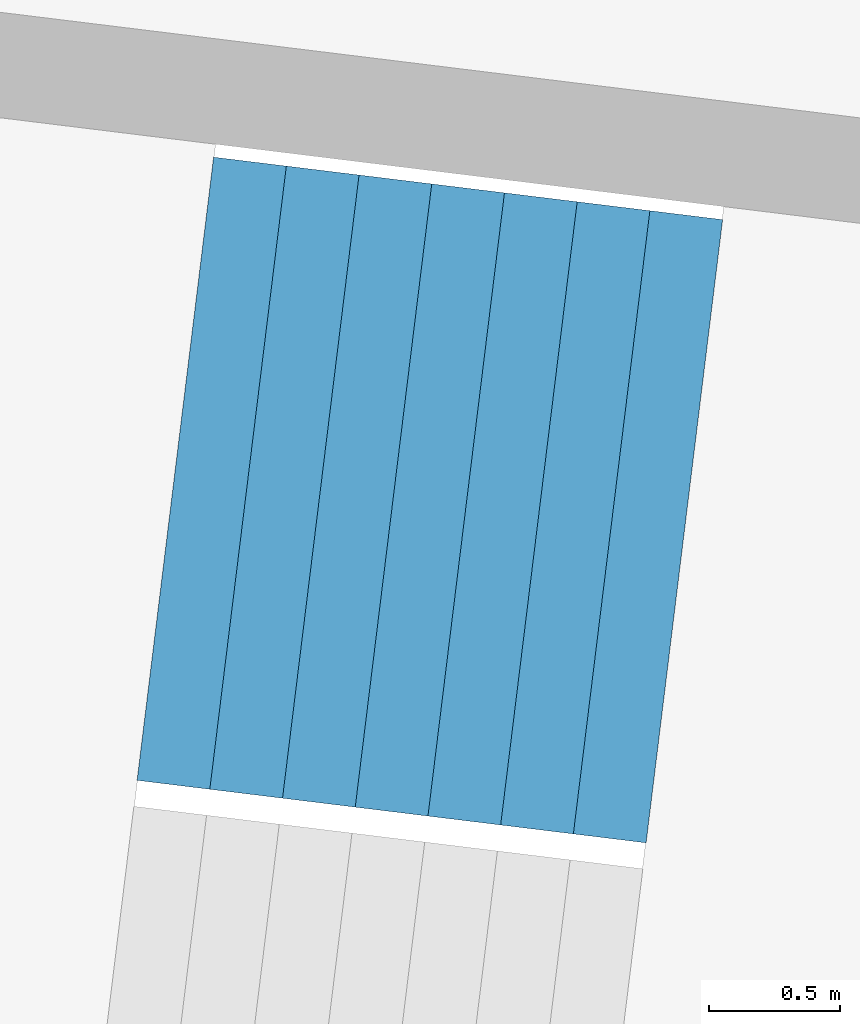
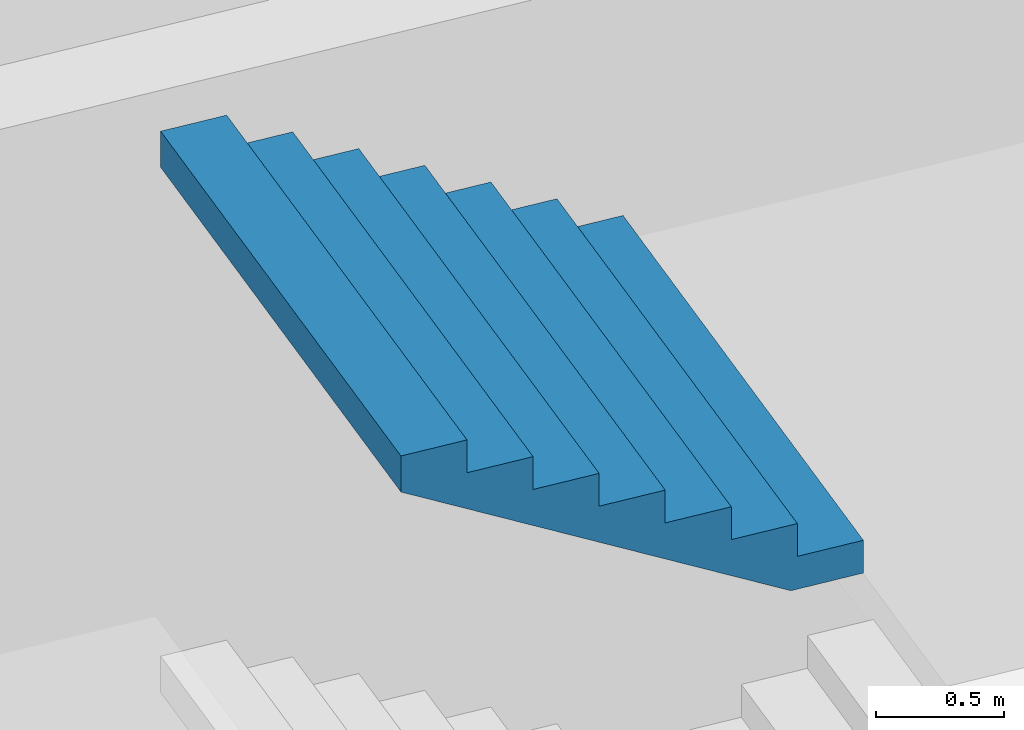
# One storey, part 56 of 73: 1 stair flight, 1 element without a shape of its own.
"""IFC4 building model written with IfcOpenShell, lengths in metres."""

from ifc_helpers import new_model, si_unit, direction, frame, origin, place, context, subcontext, project, spatial, triangles, material, type_object, element, aggregate, save


model = new_model("IFC4")

# Units and contexts
model_context = context("Model", 3, precision=1e-05, world=origin(), true_north=direction((0.0, 1.0)))
body_context = subcontext(model_context, "Body", "Model", "MODEL_VIEW")
ifc_project = project(units=[si_unit("LENGTHUNIT", "METRE"), si_unit("AREAUNIT", "SQUARE_METRE"), si_unit("VOLUMEUNIT", "CUBIC_METRE"), si_unit("PLANEANGLEUNIT", "RADIAN"), si_unit("MASSUNIT", "GRAM", prefix="KILO")], contexts=[model_context])

# Site, building, storey
site_placement = place(None, origin())
site = spatial("IfcSite", under=ifc_project, at=site_placement, CompositionType="ELEMENT")
building_placement = place(site_placement, origin())
building = spatial("IfcBuilding", under=site, at=building_placement, Name="Lantaw Convention Tower", CompositionType="ELEMENT")
storey_placement = place(building_placement, frame((0.0, 0.0, 22.0)))
storey = spatial("IfcBuildingStorey", under=building, at=storey_placement, Name="L03", CompositionType="ELEMENT", Elevation=22.0)

# Stair, stair flight
ifc_material = material(Name="Concrete C35/45", Category="concrete")
stair_type = type_object("IfcStairType", Name="Exit stair 2400 riser 156.25 in 4 flights", PredefinedType="HALF_TURN_STAIR", material=ifc_material)
stair_placement = place(storey_placement, origin())
stair = element("IfcStair", 1, at=stair_placement, inside=storey, type_object=stair_type, Name="Podium exit stair P13 L03", PredefinedType="HALF_TURN_STAIR")
stair_flight_type = type_object("IfcStairFlightType", Name="Stair flight 2400 riser 156.25", PredefinedType="STRAIGHT", material=ifc_material)
stair_flight_placement = place(storey_placement, frame((37.107666015625, -3.296875, 3.75), z_axis=(0.0, 0.0, 1.0), x_axis=(-0.992546151641, 0.121869343405, 0.0)))
stair_flight = element("IfcStairFlight", 2, at=stair_flight_placement, type_object=stair_flight_type, Name="P13 flight 4", NumberOfRisers=8, NumberOfTreads=7, PredefinedType="STRAIGHT", RiserHeight=0.15625, TreadLength=0.28, context=body_context, shape_type="Tessellation", body=[
    triangles([(0.0, 1.199951171875, 0.0), (0.0, 1.199951171875, 0.15625), (0.28, 1.199951171875, 0.0), (0.28, 1.199951171875, 0.15625), (0.28, 1.199951171875, 0.3125), (0.3076200632058044, 1.199951171875, 0.0), (0.3076200632058044, 1.199951171875, 0.3125), (0.56, 1.199951171875, 0.14083701830033238), (0.56, 1.199951171875, 0.3125), (0.56, 1.199951171875, 0.46875), (0.8400000000000001, 1.199951171875, 0.29708701830033235), (0.8400000000000001, 1.199951171875, 0.46875), (0.8400000000000001, 1.199951171875, 0.625), (1.12, 1.199951171875, 0.45333701830033235), (1.12, 1.199951171875, 0.625), (1.12, 1.199951171875, 0.78125), (1.4000000000000001, 1.199951171875, 0.6095870183003324), (1.4000000000000001, 1.199951171875, 0.78125), (1.4000000000000001, 1.199951171875, 0.9375), (1.6800000000000002, 1.199951171875, 0.7658370183003324), (1.6800000000000002, 1.199951171875, 0.9375), (1.6800000000000002, 1.199951171875, 1.09375), (1.9600000000000002, 1.199951171875, 0.9220870183003324), (1.9600000000000002, 1.199951171875, 1.09375), (0.0, -1.199951171875, 0.0), (0.0, -1.199951171875, 0.15625), (0.28, -1.199951171875, 0.0), (0.28, -1.199951171875, 0.15625), (0.28, -1.199951171875, 0.3125), (0.3076200632058044, -1.199951171875, 0.0), (0.3076200632058044, -1.199951171875, 0.3125), (0.56, -1.199951171875, 0.14083701830033238), (0.56, -1.199951171875, 0.3125), (0.56, -1.199951171875, 0.46875), (0.8400000000000001, -1.199951171875, 0.29708701830033235), (0.8400000000000001, -1.199951171875, 0.46875), (0.8400000000000001, -1.199951171875, 0.625), (1.12, -1.199951171875, 0.45333701830033235), (1.12, -1.199951171875, 0.625), (1.12, -1.199951171875, 0.78125), (1.4000000000000001, -1.199951171875, 0.6095870183003324), (1.4000000000000001, -1.199951171875, 0.78125), (1.4000000000000001, -1.199951171875, 0.9375), (1.6800000000000002, -1.199951171875, 0.7658370183003324), (1.6800000000000002, -1.199951171875, 0.9375), (1.6800000000000002, -1.199951171875, 1.09375), (1.9600000000000002, -1.199951171875, 0.9220870183003324), (1.9600000000000002, -1.199951171875, 1.09375), (0.0, 0.239990234375, 0.15625), (0.0, 0.239990234375, 0.0), (0.0, 0.1919921875, 0.15625), (0.0, 0.1919921875, 0.0), (0.0, 0.143994140625, 0.15625), (0.0, 0.143994140625, 0.0), (0.0, 0.09599609375, 0.15625), (0.0, 0.09599609375, 0.0), (0.0, 0.047998046875, 0.15625), (0.0, 0.047998046875, 0.0), (0.0, 0.0, 0.15625), (0.0, 0.0, 0.0), (0.0, -0.047998046875, 0.15625), (0.0, -0.047998046875, 0.0), (0.0, -0.09599609375, 0.15625), (0.0, -0.09599609375, 0.0), (0.0, -0.143994140625, 0.15625), (0.0, -0.143994140625, 0.0), (0.0, -0.1919921875, 0.15625), (0.0, -0.1919921875, 0.0), (0.0, -0.239990234375, 0.15625), (0.0, -0.239990234375, 0.0), (0.28, 0.239990234375, 0.3125), (0.28, 0.239990234375, 0.15625), (0.28, 0.1919921875, 0.3125), (0.28, 0.1919921875, 0.15625), (0.28, 0.143994140625, 0.3125), (0.28, 0.143994140625, 0.15625), (0.28, 0.09599609375, 0.3125), (0.28, 0.09599609375, 0.15625), (0.28, 0.047998046875, 0.3125), (0.28, 0.047998046875, 0.15625), (0.28, 0.0, 0.3125), (0.28, 0.0, 0.15625), (0.28, -0.047998046875, 0.3125), (0.28, -0.047998046875, 0.15625), (0.28, -0.09599609375, 0.3125), (0.28, -0.09599609375, 0.15625), (0.28, -0.143994140625, 0.3125), (0.28, -0.143994140625, 0.15625), (0.28, -0.1919921875, 0.3125), (0.28, -0.1919921875, 0.15625), (0.28, -0.239990234375, 0.3125), (0.28, -0.239990234375, 0.15625), (0.56, 0.239990234375, 0.46875), (0.56, 0.239990234375, 0.3125), (0.56, 0.1919921875, 0.46875), (0.56, 0.1919921875, 0.3125), (0.56, 0.143994140625, 0.46875), (0.56, 0.143994140625, 0.3125), (0.56, 0.09599609375, 0.46875), (0.56, 0.09599609375, 0.3125), (0.56, 0.047998046875, 0.46875), (0.56, 0.047998046875, 0.3125), (0.56, 0.0, 0.46875), (0.56, 0.0, 0.3125), (0.56, -0.047998046875, 0.46875), (0.56, -0.047998046875, 0.3125), (0.56, -0.09599609375, 0.46875), (0.56, -0.09599609375, 0.3125), (0.56, -0.143994140625, 0.46875), (0.56, -0.143994140625, 0.3125), (0.56, -0.1919921875, 0.46875), (0.56, -0.1919921875, 0.3125), (0.56, -0.239990234375, 0.46875), (0.56, -0.239990234375, 0.3125), (0.8400000000000001, 0.239990234375, 0.625), (0.8400000000000001, 0.239990234375, 0.46875), (0.8400000000000001, 0.1919921875, 0.625), (0.8400000000000001, 0.1919921875, 0.46875), (0.8400000000000001, 0.143994140625, 0.625), (0.8400000000000001, 0.143994140625, 0.46875), (0.8400000000000001, 0.09599609375, 0.625), (0.8400000000000001, 0.09599609375, 0.46875), (0.8400000000000001, 0.047998046875, 0.625), (0.8400000000000001, 0.047998046875, 0.46875), (0.8400000000000001, 0.0, 0.625), (0.8400000000000001, 0.0, 0.46875), (0.8400000000000001, -0.047998046875, 0.625), (0.8400000000000001, -0.047998046875, 0.46875), (0.8400000000000001, -0.09599609375, 0.625), (0.8400000000000001, -0.09599609375, 0.46875), (0.8400000000000001, -0.143994140625, 0.625), (0.8400000000000001, -0.143994140625, 0.46875), (0.8400000000000001, -0.1919921875, 0.625), (0.8400000000000001, -0.1919921875, 0.46875), (0.8400000000000001, -0.239990234375, 0.625), (0.8400000000000001, -0.239990234375, 0.46875), (1.12, 0.239990234375, 0.78125), (1.12, 0.239990234375, 0.625), (1.12, 0.1919921875, 0.78125), (1.12, 0.1919921875, 0.625), (1.12, 0.143994140625, 0.78125), (1.12, 0.143994140625, 0.625), (1.12, 0.09599609375, 0.78125), (1.12, 0.09599609375, 0.625), (1.12, 0.047998046875, 0.78125), (1.12, 0.047998046875, 0.625), (1.12, 0.0, 0.78125), (1.12, 0.0, 0.625), (1.12, -0.047998046875, 0.78125), (1.12, -0.047998046875, 0.625), (1.12, -0.09599609375, 0.78125), (1.12, -0.09599609375, 0.625), (1.12, -0.143994140625, 0.78125), (1.12, -0.143994140625, 0.625), (1.12, -0.1919921875, 0.78125), (1.12, -0.1919921875, 0.625), (1.12, -0.239990234375, 0.78125), (1.12, -0.239990234375, 0.625), (1.4000000000000001, 0.239990234375, 0.9375), (1.4000000000000001, 0.239990234375, 0.78125), (1.4000000000000001, 0.1919921875, 0.9375), (1.4000000000000001, 0.1919921875, 0.78125), (1.4000000000000001, 0.143994140625, 0.9375), (1.4000000000000001, 0.143994140625, 0.78125), (1.4000000000000001, 0.09599609375, 0.9375), (1.4000000000000001, 0.09599609375, 0.78125), (1.4000000000000001, 0.047998046875, 0.9375), (1.4000000000000001, 0.047998046875, 0.78125), (1.4000000000000001, 0.0, 0.9375), (1.4000000000000001, 0.0, 0.78125), (1.4000000000000001, -0.047998046875, 0.9375), (1.4000000000000001, -0.047998046875, 0.78125), (1.4000000000000001, -0.09599609375, 0.9375), (1.4000000000000001, -0.09599609375, 0.78125), (1.4000000000000001, -0.143994140625, 0.9375), (1.4000000000000001, -0.143994140625, 0.78125), (1.4000000000000001, -0.1919921875, 0.9375), (1.4000000000000001, -0.1919921875, 0.78125), (1.4000000000000001, -0.239990234375, 0.9375), (1.4000000000000001, -0.239990234375, 0.78125), (1.6800000000000002, 0.239990234375, 1.09375), (1.6800000000000002, 0.239990234375, 0.9375), (1.6800000000000002, 0.1919921875, 1.09375), (1.6800000000000002, 0.1919921875, 0.9375), (1.6800000000000002, 0.143994140625, 1.09375), (1.6800000000000002, 0.143994140625, 0.9375), (1.6800000000000002, 0.09599609375, 1.09375), (1.6800000000000002, 0.09599609375, 0.9375), (1.6800000000000002, 0.047998046875, 1.09375), (1.6800000000000002, 0.047998046875, 0.9375), (1.6800000000000002, 0.0, 1.09375), (1.6800000000000002, 0.0, 0.9375), (1.6800000000000002, -0.047998046875, 1.09375), (1.6800000000000002, -0.047998046875, 0.9375), (1.6800000000000002, -0.09599609375, 1.09375), (1.6800000000000002, -0.09599609375, 0.9375), (1.6800000000000002, -0.143994140625, 1.09375), (1.6800000000000002, -0.143994140625, 0.9375), (1.6800000000000002, -0.1919921875, 1.09375), (1.6800000000000002, -0.1919921875, 0.9375), (1.6800000000000002, -0.239990234375, 1.09375), (1.6800000000000002, -0.239990234375, 0.9375), (0.3076200632058044, 0.239990234375, 0.3125), (0.3076200632058044, 0.1919921875, 0.3125), (0.3076200632058044, 0.143994140625, 0.3125), (0.3076200632058044, 0.09599609375, 0.3125), (0.3076200632058044, 0.047998046875, 0.3125), (0.3076200632058044, 0.0, 0.3125), (0.3076200632058044, -0.047998046875, 0.3125), (0.3076200632058044, -0.09599609375, 0.3125), (0.3076200632058044, -0.143994140625, 0.3125), (0.3076200632058044, -0.1919921875, 0.3125), (0.3076200632058044, -0.239990234375, 0.3125), (1.9600000000000002, 0.239990234375, 1.09375), (1.9600000000000002, 0.1919921875, 1.09375), (1.9600000000000002, 0.143994140625, 1.09375), (1.9600000000000002, 0.09599609375, 1.09375), (1.9600000000000002, 0.047998046875, 1.09375), (1.9600000000000002, 0.0, 1.09375), (1.9600000000000002, -0.047998046875, 1.09375), (1.9600000000000002, -0.09599609375, 1.09375), (1.9600000000000002, -0.143994140625, 1.09375), (1.9600000000000002, -0.1919921875, 1.09375), (1.9600000000000002, -0.239990234375, 1.09375), (1.9600000000000002, 0.239990234375, 0.9220870183003324), (1.9600000000000002, 0.1919921875, 0.9220870183003324), (1.9600000000000002, 0.143994140625, 0.9220870183003324), (1.9600000000000002, 0.09599609375, 0.9220870183003324), (1.9600000000000002, 0.047998046875, 0.9220870183003324), (1.9600000000000002, 0.0, 0.9220870183003324), (1.9600000000000002, -0.047998046875, 0.9220870183003324), (1.9600000000000002, -0.09599609375, 0.9220870183003324), (1.9600000000000002, -0.143994140625, 0.9220870183003324), (1.9600000000000002, -0.1919921875, 0.9220870183003324), (1.9600000000000002, -0.239990234375, 0.9220870183003324), (1.6800000000000002, 0.239990234375, 0.7658370183003324), (1.6800000000000002, 0.1919921875, 0.7658370183003324), (1.6800000000000002, 0.143994140625, 0.7658370183003324), (1.6800000000000002, 0.09599609375, 0.7658370183003324), (1.6800000000000002, 0.047998046875, 0.7658370183003324), (1.6800000000000002, 0.0, 0.7658370183003324), (1.6800000000000002, -0.047998046875, 0.7658370183003324), (1.6800000000000002, -0.09599609375, 0.7658370183003324), (1.6800000000000002, -0.143994140625, 0.7658370183003324), (1.6800000000000002, -0.1919921875, 0.7658370183003324), (1.6800000000000002, -0.239990234375, 0.7658370183003324), (1.4000000000000001, 0.239990234375, 0.6095870183003324), (1.4000000000000001, 0.1919921875, 0.6095870183003324), (1.4000000000000001, 0.143994140625, 0.6095870183003324), (1.4000000000000001, 0.09599609375, 0.6095870183003324), (1.4000000000000001, 0.047998046875, 0.6095870183003324), (1.4000000000000001, 0.0, 0.6095870183003324), (1.4000000000000001, -0.047998046875, 0.6095870183003324), (1.4000000000000001, -0.09599609375, 0.6095870183003324), (1.4000000000000001, -0.143994140625, 0.6095870183003324), (1.4000000000000001, -0.1919921875, 0.6095870183003324), (1.4000000000000001, -0.239990234375, 0.6095870183003324), (1.12, 0.239990234375, 0.45333701830033235), (1.12, 0.1919921875, 0.45333701830033235), (1.12, 0.143994140625, 0.45333701830033235), (1.12, 0.09599609375, 0.45333701830033235), (1.12, 0.047998046875, 0.45333701830033235), (1.12, 0.0, 0.45333701830033235), (1.12, -0.047998046875, 0.45333701830033235), (1.12, -0.09599609375, 0.45333701830033235), (1.12, -0.143994140625, 0.45333701830033235), (1.12, -0.1919921875, 0.45333701830033235), (1.12, -0.239990234375, 0.45333701830033235), (0.8400000000000001, 0.239990234375, 0.29708701830033235), (0.8400000000000001, 0.1919921875, 0.29708701830033235), (0.8400000000000001, 0.143994140625, 0.29708701830033235), (0.8400000000000001, 0.09599609375, 0.29708701830033235), (0.8400000000000001, 0.047998046875, 0.29708701830033235), (0.8400000000000001, 0.0, 0.29708701830033235), (0.8400000000000001, -0.047998046875, 0.29708701830033235), (0.8400000000000001, -0.09599609375, 0.29708701830033235), (0.8400000000000001, -0.143994140625, 0.29708701830033235), (0.8400000000000001, -0.1919921875, 0.29708701830033235), (0.8400000000000001, -0.239990234375, 0.29708701830033235), (0.56, 0.239990234375, 0.14083701830033238), (0.56, 0.1919921875, 0.14083701830033238), (0.56, 0.143994140625, 0.14083701830033238), (0.56, 0.09599609375, 0.14083701830033238), (0.56, 0.047998046875, 0.14083701830033238), (0.56, 0.0, 0.14083701830033238), (0.56, -0.047998046875, 0.14083701830033238), (0.56, -0.09599609375, 0.14083701830033238), (0.56, -0.143994140625, 0.14083701830033238), (0.56, -0.1919921875, 0.14083701830033238), (0.56, -0.239990234375, 0.14083701830033238), (0.3076200632058044, 0.239990234375, 0.0), (0.3076200632058044, 0.1919921875, 0.0), (0.3076200632058044, 0.143994140625, 0.0), (0.3076200632058044, 0.09599609375, 0.0), (0.3076200632058044, 0.047998046875, 0.0), (0.3076200632058044, 0.0, 0.0), (0.3076200632058044, -0.047998046875, 0.0), (0.3076200632058044, -0.09599609375, 0.0), (0.3076200632058044, -0.143994140625, 0.0), (0.3076200632058044, -0.1919921875, 0.0), (0.3076200632058044, -0.239990234375, 0.0), (0.28, 0.239990234375, 0.0), (0.28, 0.1919921875, 0.0), (0.28, 0.143994140625, 0.0), (0.28, 0.09599609375, 0.0), (0.28, 0.047998046875, 0.0), (0.28, 0.0, 0.0), (0.28, -0.047998046875, 0.0), (0.28, -0.09599609375, 0.0), (0.28, -0.143994140625, 0.0), (0.28, -0.1919921875, 0.0), (0.28, -0.239990234375, 0.0)], [[1, 4, 3], [1, 2, 4], [3, 4, 6], [4, 7, 6], [4, 5, 7], [6, 9, 8], [6, 7, 9], [8, 9, 11], [9, 12, 11], [9, 10, 12], [11, 12, 14], [12, 15, 14], [12, 13, 15], [14, 15, 17], [15, 18, 17], [15, 16, 18], [17, 18, 20], [18, 21, 20], [18, 19, 21], [20, 21, 23], [21, 24, 23], [21, 22, 24], [25, 27, 28], [25, 28, 26], [27, 30, 28], [28, 30, 31], [28, 31, 29], [30, 32, 33], [30, 33, 31], [32, 35, 33], [33, 35, 36], [33, 36, 34], [35, 38, 36], [36, 38, 39], [36, 39, 37], [38, 41, 39], [39, 41, 42], [39, 42, 40], [41, 44, 42], [42, 44, 45], [42, 45, 43], [44, 47, 45], [45, 47, 48], [45, 48, 46], [1, 49, 2], [1, 50, 49], [50, 51, 49], [50, 52, 51], [52, 53, 51], [52, 54, 53], [54, 55, 53], [54, 56, 55], [56, 57, 55], [56, 58, 57], [58, 59, 57], [58, 60, 59], [60, 61, 59], [60, 62, 61], [62, 63, 61], [62, 64, 63], [64, 65, 63], [64, 66, 65], [66, 67, 65], [66, 68, 67], [68, 69, 67], [68, 70, 69], [70, 26, 69], [70, 25, 26], [4, 71, 5], [4, 72, 71], [72, 73, 71], [72, 74, 73], [74, 75, 73], [74, 76, 75], [76, 77, 75], [76, 78, 77], [78, 79, 77], [78, 80, 79], [80, 81, 79], [80, 82, 81], [82, 83, 81], [82, 84, 83], [84, 85, 83], [84, 86, 85], [86, 87, 85], [86, 88, 87], [88, 89, 87], [88, 90, 89], [90, 91, 89], [90, 92, 91], [92, 29, 91], [92, 28, 29], [9, 93, 10], [9, 94, 93], [94, 95, 93], [94, 96, 95], [96, 97, 95], [96, 98, 97], [98, 99, 97], [98, 100, 99], [100, 101, 99], [100, 102, 101], [102, 103, 101], [102, 104, 103], [104, 105, 103], [104, 106, 105], [106, 107, 105], [106, 108, 107], [108, 109, 107], [108, 110, 109], [110, 111, 109], [110, 112, 111], [112, 113, 111], [112, 114, 113], [114, 34, 113], [114, 33, 34], [12, 115, 13], [12, 116, 115], [116, 117, 115], [116, 118, 117], [118, 119, 117], [118, 120, 119], [120, 121, 119], [120, 122, 121], [122, 123, 121], [122, 124, 123], [124, 125, 123], [124, 126, 125], [126, 127, 125], [126, 128, 127], [128, 129, 127], [128, 130, 129], [130, 131, 129], [130, 132, 131], [132, 133, 131], [132, 134, 133], [134, 135, 133], [134, 136, 135], [136, 37, 135], [136, 36, 37], [15, 137, 16], [15, 138, 137], [138, 139, 137], [138, 140, 139], [140, 141, 139], [140, 142, 141], [142, 143, 141], [142, 144, 143], [144, 145, 143], [144, 146, 145], [146, 147, 145], [146, 148, 147], [148, 149, 147], [148, 150, 149], [150, 151, 149], [150, 152, 151], [152, 153, 151], [152, 154, 153], [154, 155, 153], [154, 156, 155], [156, 157, 155], [156, 158, 157], [158, 40, 157], [158, 39, 40], [18, 159, 19], [18, 160, 159], [160, 161, 159], [160, 162, 161], [162, 163, 161], [162, 164, 163], [164, 165, 163], [164, 166, 165], [166, 167, 165], [166, 168, 167], [168, 169, 167], [168, 170, 169], [170, 171, 169], [170, 172, 171], [172, 173, 171], [172, 174, 173], [174, 175, 173], [174, 176, 175], [176, 177, 175], [176, 178, 177], [178, 179, 177], [178, 180, 179], [180, 43, 179], [180, 42, 43], [21, 181, 22], [21, 182, 181], [182, 183, 181], [182, 184, 183], [184, 185, 183], [184, 186, 185], [186, 187, 185], [186, 188, 187], [188, 189, 187], [188, 190, 189], [190, 191, 189], [190, 192, 191], [192, 193, 191], [192, 194, 193], [194, 195, 193], [194, 196, 195], [196, 197, 195], [196, 198, 197], [198, 199, 197], [198, 200, 199], [200, 201, 199], [200, 202, 201], [202, 46, 201], [202, 45, 46], [2, 72, 4], [2, 49, 72], [49, 74, 72], [49, 51, 74], [51, 76, 74], [51, 53, 76], [53, 78, 76], [53, 55, 78], [55, 80, 78], [55, 57, 80], [57, 82, 80], [57, 59, 82], [59, 84, 82], [59, 61, 84], [61, 86, 84], [61, 63, 86], [63, 88, 86], [63, 65, 88], [65, 90, 88], [65, 67, 90], [67, 92, 90], [67, 69, 92], [69, 28, 92], [69, 26, 28], [5, 203, 7], [5, 71, 203], [71, 204, 203], [71, 73, 204], [73, 205, 204], [73, 75, 205], [75, 206, 205], [75, 77, 206], [77, 207, 206], [77, 79, 207], [79, 208, 207], [79, 81, 208], [81, 209, 208], [81, 83, 209], [83, 210, 209], [83, 85, 210], [85, 211, 210], [85, 87, 211], [87, 212, 211], [87, 89, 212], [89, 213, 212], [89, 91, 213], [91, 31, 213], [91, 29, 31], [7, 94, 9], [7, 203, 94], [203, 96, 94], [203, 204, 96], [204, 98, 96], [204, 205, 98], [205, 100, 98], [205, 206, 100], [206, 102, 100], [206, 207, 102], [207, 104, 102], [207, 208, 104], [208, 106, 104], [208, 209, 106], [209, 108, 106], [209, 210, 108], [210, 110, 108], [210, 211, 110], [211, 112, 110], [211, 212, 112], [212, 114, 112], [212, 213, 114], [213, 33, 114], [213, 31, 33], [10, 116, 12], [10, 93, 116], [93, 118, 116], [93, 95, 118], [95, 120, 118], [95, 97, 120], [97, 122, 120], [97, 99, 122], [99, 124, 122], [99, 101, 124], [101, 126, 124], [101, 103, 126], [103, 128, 126], [103, 105, 128], [105, 130, 128], [105, 107, 130], [107, 132, 130], [107, 109, 132], [109, 134, 132], [109, 111, 134], [111, 136, 134], [111, 113, 136], [113, 36, 136], [113, 34, 36], [13, 138, 15], [13, 115, 138], [115, 140, 138], [115, 117, 140], [117, 142, 140], [117, 119, 142], [119, 144, 142], [119, 121, 144], [121, 146, 144], [121, 123, 146], [123, 148, 146], [123, 125, 148], [125, 150, 148], [125, 127, 150], [127, 152, 150], [127, 129, 152], [129, 154, 152], [129, 131, 154], [131, 156, 154], [131, 133, 156], [133, 158, 156], [133, 135, 158], [135, 39, 158], [135, 37, 39], [16, 160, 18], [16, 137, 160], [137, 162, 160], [137, 139, 162], [139, 164, 162], [139, 141, 164], [141, 166, 164], [141, 143, 166], [143, 168, 166], [143, 145, 168], [145, 170, 168], [145, 147, 170], [147, 172, 170], [147, 149, 172], [149, 174, 172], [149, 151, 174], [151, 176, 174], [151, 153, 176], [153, 178, 176], [153, 155, 178], [155, 180, 178], [155, 157, 180], [157, 42, 180], [157, 40, 42], [19, 182, 21], [19, 159, 182], [159, 184, 182], [159, 161, 184], [161, 186, 184], [161, 163, 186], [163, 188, 186], [163, 165, 188], [165, 190, 188], [165, 167, 190], [167, 192, 190], [167, 169, 192], [169, 194, 192], [169, 171, 194], [171, 196, 194], [171, 173, 196], [173, 198, 196], [173, 175, 198], [175, 200, 198], [175, 177, 200], [177, 202, 200], [177, 179, 202], [179, 45, 202], [179, 43, 45], [22, 214, 24], [22, 181, 214], [181, 215, 214], [181, 183, 215], [183, 216, 215], [183, 185, 216], [185, 217, 216], [185, 187, 217], [187, 218, 217], [187, 189, 218], [189, 219, 218], [189, 191, 219], [191, 220, 219], [191, 193, 220], [193, 221, 220], [193, 195, 221], [195, 222, 221], [195, 197, 222], [197, 223, 222], [197, 199, 223], [199, 224, 223], [199, 201, 224], [201, 48, 224], [201, 46, 48], [24, 225, 23], [24, 214, 225], [214, 226, 225], [214, 215, 226], [215, 227, 226], [215, 216, 227], [216, 228, 227], [216, 217, 228], [217, 229, 228], [217, 218, 229], [218, 230, 229], [218, 219, 230], [219, 231, 230], [219, 220, 231], [220, 232, 231], [220, 221, 232], [221, 233, 232], [221, 222, 233], [222, 234, 233], [222, 223, 234], [223, 235, 234], [223, 224, 235], [224, 47, 235], [224, 48, 47], [23, 236, 20], [23, 225, 236], [225, 237, 236], [225, 226, 237], [226, 238, 237], [226, 227, 238], [227, 239, 238], [227, 228, 239], [228, 240, 239], [228, 229, 240], [229, 241, 240], [229, 230, 241], [230, 242, 241], [230, 231, 242], [231, 243, 242], [231, 232, 243], [232, 244, 243], [232, 233, 244], [233, 245, 244], [233, 234, 245], [234, 246, 245], [234, 235, 246], [235, 44, 246], [235, 47, 44], [20, 247, 17], [20, 236, 247], [236, 248, 247], [236, 237, 248], [237, 249, 248], [237, 238, 249], [238, 250, 249], [238, 239, 250], [239, 251, 250], [239, 240, 251], [240, 252, 251], [240, 241, 252], [241, 253, 252], [241, 242, 253], [242, 254, 253], [242, 243, 254], [243, 255, 254], [243, 244, 255], [244, 256, 255], [244, 245, 256], [245, 257, 256], [245, 246, 257], [246, 41, 257], [246, 44, 41], [17, 258, 14], [17, 247, 258], [247, 259, 258], [247, 248, 259], [248, 260, 259], [248, 249, 260], [249, 261, 260], [249, 250, 261], [250, 262, 261], [250, 251, 262], [251, 263, 262], [251, 252, 263], [252, 264, 263], [252, 253, 264], [253, 265, 264], [253, 254, 265], [254, 266, 265], [254, 255, 266], [255, 267, 266], [255, 256, 267], [256, 268, 267], [256, 257, 268], [257, 38, 268], [257, 41, 38], [14, 269, 11], [14, 258, 269], [258, 270, 269], [258, 259, 270], [259, 271, 270], [259, 260, 271], [260, 272, 271], [260, 261, 272], [261, 273, 272], [261, 262, 273], [262, 274, 273], [262, 263, 274], [263, 275, 274], [263, 264, 275], [264, 276, 275], [264, 265, 276], [265, 277, 276], [265, 266, 277], [266, 278, 277], [266, 267, 278], [267, 279, 278], [267, 268, 279], [268, 35, 279], [268, 38, 35], [11, 280, 8], [11, 269, 280], [269, 281, 280], [269, 270, 281], [270, 282, 281], [270, 271, 282], [271, 283, 282], [271, 272, 283], [272, 284, 283], [272, 273, 284], [273, 285, 284], [273, 274, 285], [274, 286, 285], [274, 275, 286], [275, 287, 286], [275, 276, 287], [276, 288, 287], [276, 277, 288], [277, 289, 288], [277, 278, 289], [278, 290, 289], [278, 279, 290], [279, 32, 290], [279, 35, 32], [8, 291, 6], [8, 280, 291], [280, 292, 291], [280, 281, 292], [281, 293, 292], [281, 282, 293], [282, 294, 293], [282, 283, 294], [283, 295, 294], [283, 284, 295], [284, 296, 295], [284, 285, 296], [285, 297, 296], [285, 286, 297], [286, 298, 297], [286, 287, 298], [287, 299, 298], [287, 288, 299], [288, 300, 299], [288, 289, 300], [289, 301, 300], [289, 290, 301], [290, 30, 301], [290, 32, 30], [6, 302, 3], [6, 291, 302], [291, 303, 302], [291, 292, 303], [292, 304, 303], [292, 293, 304], [293, 305, 304], [293, 294, 305], [294, 306, 305], [294, 295, 306], [295, 307, 306], [295, 296, 307], [296, 308, 307], [296, 297, 308], [297, 309, 308], [297, 298, 309], [298, 310, 309], [298, 299, 310], [299, 311, 310], [299, 300, 311], [300, 312, 311], [300, 301, 312], [301, 27, 312], [301, 30, 27], [3, 50, 1], [3, 302, 50], [302, 52, 50], [302, 303, 52], [303, 54, 52], [303, 304, 54], [304, 56, 54], [304, 305, 56], [305, 58, 56], [305, 306, 58], [306, 60, 58], [306, 307, 60], [307, 62, 60], [307, 308, 62], [308, 64, 62], [308, 309, 64], [309, 66, 64], [309, 310, 66], [310, 68, 66], [310, 311, 68], [311, 70, 68], [311, 312, 70], [312, 25, 70], [312, 27, 25]], closed=True),
])
aggregate(stair, [stair_flight])

save(model, "model.ifc")
